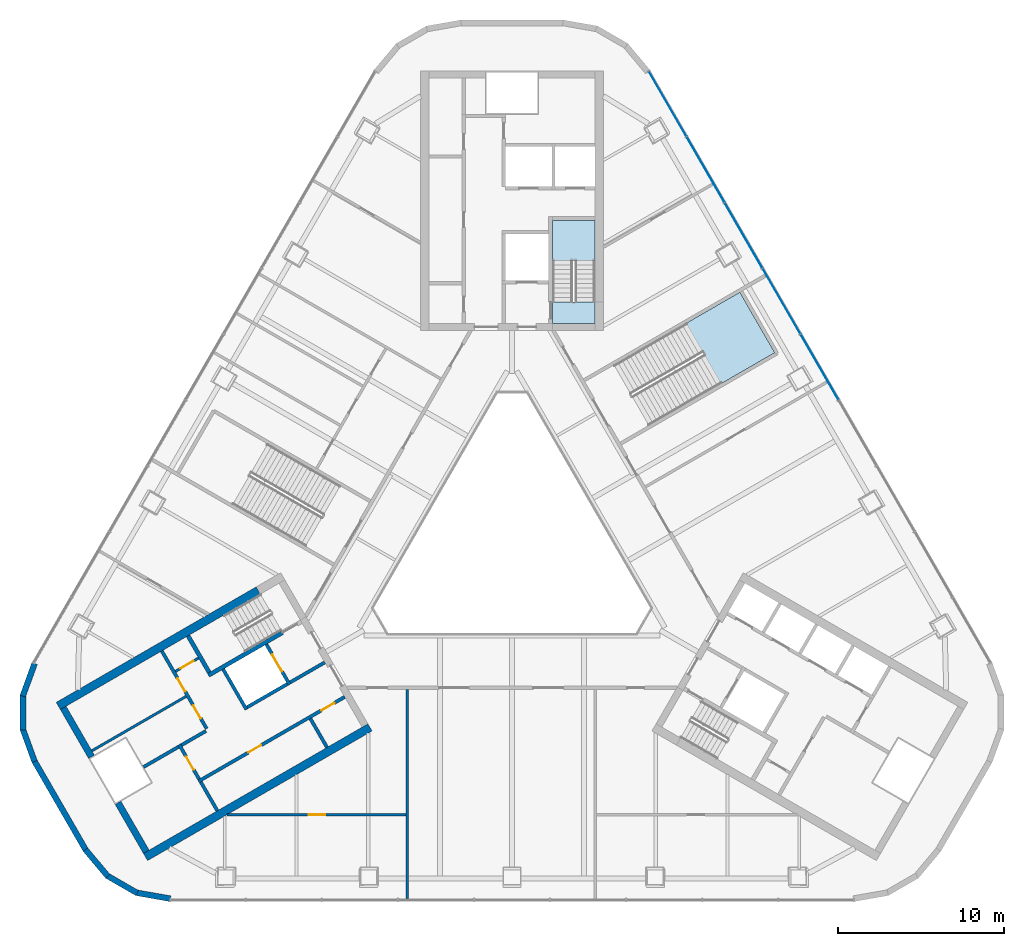
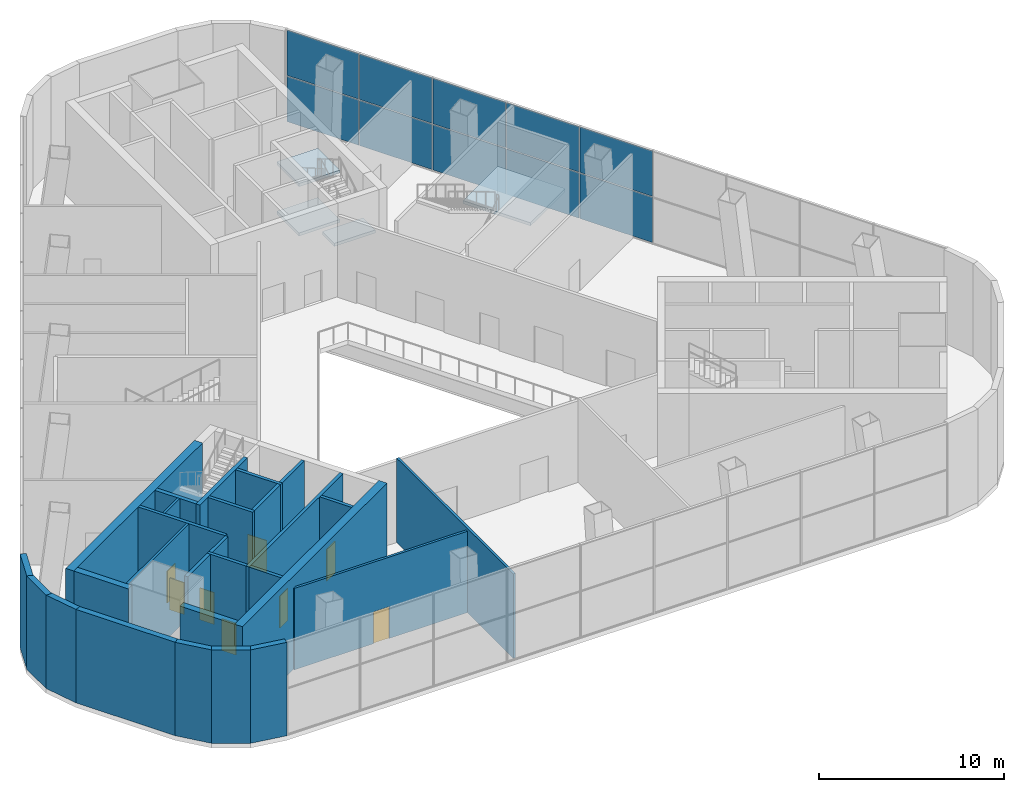
# One storey, part 10 of 17: 28 walls, 10 plates, 8 doors, 4 slabs, 8 openings, 3 elements without a shape of their own.
"""IFC4 building model written with IfcOpenShell, lengths in metres."""

from ifc_helpers import new_model, si_unit, direction, frame, frame_2d, origin, origin_2d, place, context, subcontext, project, spatial, polyline, rectangle, outline, extrude, material, layer, layer_set, type_object, element, fill, aggregate, save


model = new_model("IFC4")

# Units and contexts
model_context = context("Model", 3, precision=1e-05, world=origin(), true_north=direction((0.0, 1.0)))
body_context = subcontext(model_context, "Body", "Model", "MODEL_VIEW")
ifc_project = project(units=[si_unit("LENGTHUNIT", "METRE"), si_unit("AREAUNIT", "SQUARE_METRE"), si_unit("VOLUMEUNIT", "CUBIC_METRE"), si_unit("PLANEANGLEUNIT", "RADIAN"), si_unit("MASSUNIT", "GRAM", prefix="KILO")], contexts=[model_context])

# Site, building, storey
site_placement = place(None, origin())
site = spatial("IfcSite", under=ifc_project, at=site_placement, CompositionType="ELEMENT")
building_placement = place(site_placement, origin())
building = spatial("IfcBuilding", under=site, at=building_placement, Name="Apuvela Tower Hotel", CompositionType="ELEMENT")
storey_placement = place(building_placement, frame((0.0, 0.0, 9.0)))
storey = spatial("IfcBuildingStorey", under=building, at=storey_placement, Name="L01", CompositionType="ELEMENT", Elevation=9.0)

# Stair, slabs
ifc_material_1 = material(Name="Concrete C50/60", Category="concrete")
stair_type_1 = type_object("IfcStairType", Name="COR-STAIR-40R", PredefinedType="HALF_TURN_STAIR", material=ifc_material_1)
stair_1_placement = place(storey_placement, origin())
stair_1 = element("IfcStair", 1, at=stair_1_placement, inside=storey, type_object=stair_type_1, Name="L01 Exit stair ST1", PredefinedType="HALF_TURN_STAIR")
ifc_layer_1 = layer(ifc_material_1, 0.199951171875)
ifc_layer_set_1 = layer_set([ifc_layer_1], Name="COR-LANDING-200")
slab_type_1 = type_object("IfcSlabType", Name="COR-LANDING-200", PredefinedType="LANDING", material=ifc_layer_set_1)
slab_1_placement = place(storey_placement, frame((0.0, 0.0, 1.425048828125)))
slab_1 = element("IfcSlab", 2, at=slab_1_placement, type_object=slab_type_1, Name="ST1 landing 1", PredefinedType="LANDING", context=body_context, shape_type="SweptSolid", body=[
    extrude(outline(polyline([(5.0, 17.114013671875), (5.0, 19.5), (2.449951171875, 19.5), (2.449951171875, 17.114013671875), (5.0, 17.114013671875)])), origin(), (0.0, 0.0, 1.0), 0.199951171875),
])
slab_2_placement = place(storey_placement, frame((0.0, 0.0, 3.050048828125)))
slab_2 = element("IfcSlab", 3, at=slab_2_placement, type_object=slab_type_1, Name="ST1 landing 2", PredefinedType="LANDING", context=body_context, shape_type="SweptSolid", body=[
    extrude(outline(polyline([(5.0, 13.300048828125), (5.0, 14.60595703125), (2.449951171875, 14.60595703125), (2.449951171875, 13.300048828125), (5.0, 13.300048828125)])), origin(), (0.0, 0.0, 1.0), 0.199951171875),
])
slab_3_placement = place(storey_placement, frame((0.0, 0.0, 4.675048828125)))
slab_3 = element("IfcSlab", 4, at=slab_3_placement, type_object=slab_type_1, Name="ST1 landing 3", PredefinedType="LANDING", context=body_context, shape_type="SweptSolid", body=[
    extrude(outline(polyline([(5.0, 17.114013671875), (5.0, 19.5), (2.449951171875, 19.5), (2.449951171875, 17.114013671875), (5.0, 17.114013671875)])), origin(), (0.0, 0.0, 1.0), 0.199951171875),
])
aggregate(stair_1, [slab_1, slab_2, slab_3])

# Curtain wall, plates
ifc_material_2 = material(Name="Aluminium 6063-T6, dark bronze anodised", Category="aluminium")
ifc_layer_2 = layer(ifc_material_2, 0.199951171875)
ifc_layer_set_2 = layer_set([ifc_layer_2], Name="ENV-CW-P")
curtain_wall_type = type_object("IfcCurtainWallType", Name="ENV-CW-P", PredefinedType="NOTDEFINED", material=ifc_layer_set_2)
curtain_wall_placement = place(storey_placement, origin())
curtain_wall = element("IfcCurtainWall", 5, at=curtain_wall_placement, inside=storey, type_object=curtain_wall_type, Name="Curtain wall CW-P NE L01", PredefinedType="NOTDEFINED")
ifc_material_3 = material(Name="Glass, dark tinted laminated insulated glazing unit", Category="glass")
ifc_layer_3 = layer(ifc_material_3, 0.0400390625)
ifc_layer_set_3 = layer_set([ifc_layer_3], Name="ENV-PANEL-IGU-40")
plate_type = type_object("IfcPlateType", Name="ENV-PANEL-IGU-40", PredefinedType="CURTAIN_PANEL", material=ifc_layer_set_3)
plate_1_placement = place(storey_placement, frame((18.51416015625, 10.689208984375, 0.06494140625), z_axis=(0.0, 0.0, 1.0), x_axis=(-0.49999995795, 0.866025428062, 0.0)))
plate_1 = element("IfcPlate", 6, at=plate_1_placement, type_object=plate_type, Name="CW-P panel 5.1", PredefinedType="CURTAIN_PANEL", context=body_context, shape_type="SweptSolid", body=[
    extrude(rectangle(XDim=4.510009765625, YDim=0.0400390625, at=origin_2d()), origin(), (0.0, 0.0, 1.0), 2.9775390625),
])
plate_2_placement = place(storey_placement, frame((18.51416015625, 10.689208984375, 3.107421875), z_axis=(0.0, 0.0, 1.0), x_axis=(-0.49999995795, 0.866025428062, 0.0)))
plate_2 = element("IfcPlate", 7, at=plate_2_placement, type_object=plate_type, Name="CW-P panel 5.2", PredefinedType="CURTAIN_PANEL", context=body_context, shape_type="SweptSolid", body=[
    extrude(rectangle(XDim=4.510009765625, YDim=0.0400390625, at=origin_2d()), origin(), (0.0, 0.0, 1.0), 2.9775390625),
])
plate_3_placement = place(storey_placement, frame((16.2265625, 14.6513671875, 0.06494140625), z_axis=(0.0, 0.0, 1.0), x_axis=(-0.49999995795, 0.866025428062, 0.0)))
plate_3 = element("IfcPlate", 8, at=plate_3_placement, type_object=plate_type, Name="CW-P panel 6.1", PredefinedType="CURTAIN_PANEL", context=body_context, shape_type="SweptSolid", body=[
    extrude(rectangle(XDim=4.510009765625, YDim=0.0400390625, at=origin_2d()), origin(), (0.0, 0.0, 1.0), 2.9775390625),
])
plate_4_placement = place(storey_placement, frame((16.2265625, 14.6513671875, 3.107421875), z_axis=(0.0, 0.0, 1.0), x_axis=(-0.49999995795, 0.866025428062, 0.0)))
plate_4 = element("IfcPlate", 9, at=plate_4_placement, type_object=plate_type, Name="CW-P panel 6.2", PredefinedType="CURTAIN_PANEL", context=body_context, shape_type="SweptSolid", body=[
    extrude(rectangle(XDim=4.510009765625, YDim=0.0400390625, at=origin_2d()), origin(), (0.0, 0.0, 1.0), 2.9775390625),
])
plate_5_placement = place(storey_placement, frame((13.939208984375, 18.61328125, 0.06494140625), z_axis=(0.0, 0.0, 1.0), x_axis=(-0.49999995795, 0.866025428062, 0.0)))
plate_5 = element("IfcPlate", 10, at=plate_5_placement, type_object=plate_type, Name="CW-P panel 7.1", PredefinedType="CURTAIN_PANEL", context=body_context, shape_type="SweptSolid", body=[
    extrude(rectangle(XDim=4.510009765625, YDim=0.0400390625, at=origin_2d()), origin(), (0.0, 0.0, 1.0), 2.9775390625),
])
plate_6_placement = place(storey_placement, frame((13.939208984375, 18.61328125, 3.107421875), z_axis=(0.0, 0.0, 1.0), x_axis=(-0.49999995795, 0.866025428062, 0.0)))
plate_6 = element("IfcPlate", 11, at=plate_6_placement, type_object=plate_type, Name="CW-P panel 7.2", PredefinedType="CURTAIN_PANEL", context=body_context, shape_type="SweptSolid", body=[
    extrude(rectangle(XDim=4.510009765625, YDim=0.0400390625, at=origin_2d()), origin(), (0.0, 0.0, 1.0), 2.9775390625),
])
plate_7_placement = place(storey_placement, frame((11.651611328125, 22.575439453125, 0.06494140625), z_axis=(0.0, 0.0, 1.0), x_axis=(-0.49999995795, 0.866025428062, 0.0)))
plate_7 = element("IfcPlate", 12, at=plate_7_placement, type_object=plate_type, Name="CW-P panel 8.1", PredefinedType="CURTAIN_PANEL", context=body_context, shape_type="SweptSolid", body=[
    extrude(rectangle(XDim=4.510009765625, YDim=0.0400390625, at=origin_2d()), origin(), (0.0, 0.0, 1.0), 2.9775390625),
])
plate_8_placement = place(storey_placement, frame((11.651611328125, 22.575439453125, 3.107421875), z_axis=(0.0, 0.0, 1.0), x_axis=(-0.49999995795, 0.866025428062, 0.0)))
plate_8 = element("IfcPlate", 13, at=plate_8_placement, type_object=plate_type, Name="CW-P panel 8.2", PredefinedType="CURTAIN_PANEL", context=body_context, shape_type="SweptSolid", body=[
    extrude(rectangle(XDim=4.510009765625, YDim=0.0400390625, at=origin_2d()), origin(), (0.0, 0.0, 1.0), 2.9775390625),
])
plate_9_placement = place(storey_placement, frame((9.372314453125, 26.5234375, 0.06494140625), z_axis=(0.0, 0.0, 1.0), x_axis=(-0.49999995795, 0.866025428062, 0.0)))
plate_9 = element("IfcPlate", 14, at=plate_9_placement, type_object=plate_type, Name="CW-P panel 9.1", PredefinedType="CURTAIN_PANEL", context=body_context, shape_type="SweptSolid", body=[
    extrude(rectangle(XDim=4.4775390625, YDim=0.0400390625, at=origin_2d()), origin(), (0.0, 0.0, 1.0), 2.9775390625),
])
plate_10_placement = place(storey_placement, frame((9.372314453125, 26.5234375, 3.107421875), z_axis=(0.0, 0.0, 1.0), x_axis=(-0.49999995795, 0.866025428062, 0.0)))
plate_10 = element("IfcPlate", 15, at=plate_10_placement, type_object=plate_type, Name="CW-P panel 9.2", PredefinedType="CURTAIN_PANEL", context=body_context, shape_type="SweptSolid", body=[
    extrude(rectangle(XDim=4.4775390625, YDim=0.0400390625, at=origin_2d()), origin(), (0.0, 0.0, 1.0), 2.9775390625),
])
aggregate(curtain_wall, [plate_1, plate_2, plate_3, plate_4, plate_5, plate_6, plate_7, plate_8, plate_9, plate_10])

# Stair, slab
ifc_material_4 = material(Name="Concrete C40/50", Category="concrete")
stair_type_2 = type_object("IfcStairType", Name="SPC-STAIR-PS", PredefinedType="HALF_TURN_STAIR", material=ifc_material_4)
stair_2_placement = place(storey_placement, origin())
stair_2 = element("IfcStair", 16, at=stair_2_placement, inside=storey, type_object=stair_type_2, Name="L01 Protected exit stair PS1", PredefinedType="HALF_TURN_STAIR")
ifc_layer_4 = layer(ifc_material_4, 0.199951171875)
ifc_layer_set_4 = layer_set([ifc_layer_4], Name="SPC-LANDING-PS")
slab_type_2 = type_object("IfcSlabType", Name="SPC-LANDING-PS", PredefinedType="LANDING", material=ifc_layer_set_4)
slab_4_placement = place(storey_placement, frame((0.0, 0.0, 3.050048828125)))
slab_4 = element("IfcSlab", 17, at=slab_4_placement, type_object=slab_type_2, Name="PS1 landing 1", PredefinedType="LANDING", context=body_context, shape_type="SweptSolid", body=[
    extrude(outline(polyline([(12.576904296875, 9.68603515625), (15.8115234375, 11.5537109375), (13.71142578125, 15.19091796875), (10.476806640625, 13.323486328125), (12.576904296875, 9.68603515625)])), origin(), (0.0, 0.0, 1.0), 0.199951171875),
])
aggregate(stair_2, [slab_4])

# Walls
ifc_layer_5 = layer(ifc_material_1, 0.39990234375)
ifc_layer_set_5 = layer_set([ifc_layer_5], Name="COR-WALL-CORE-400")
wall_type_1 = type_object("IfcWallType", Name="COR-WALL-CORE-400", PredefinedType="SHEAR", material=ifc_layer_set_5)
wall_1_placement = place(storey_placement, frame((-23.70849609375, -15.53564453125, 0.0), z_axis=(0.0, 0.0, 1.0), x_axis=(0.500008388397, -0.866020560687, 0.0)))
element("IfcWall", 18, at=wall_1_placement, inside=storey, type_object=wall_type_1, Name="Core wall SW", PredefinedType="SHEAR", context=body_context, shape_type="SweptSolid", body=[
    extrude(rectangle(XDim=3.39990234375, YDim=0.39990234375, at=frame_2d((1.699951171875, 0.0))), origin(), (0.0, 0.0, 1.0), 6.14990234375),
])
wall_2_placement = place(storey_placement, frame((-27.008544921875, -9.81982421875, 0.0), z_axis=(0.0, 0.0, 1.0), x_axis=(0.499977295307, -0.866038511948, 0.0)))
element("IfcWall", 19, at=wall_2_placement, inside=storey, type_object=wall_type_1, Name="Core wall SW", PredefinedType="SHEAR", context=body_context, shape_type="SweptSolid", body=[
    extrude(rectangle(XDim=3.400146484375, YDim=0.39990234375, at=frame_2d((1.7001953125, 0.0))), origin(), (0.0, 0.0, 1.0), 6.14990234375),
])
ifc_layer_6 = layer(ifc_material_1, 0.5)
ifc_layer_set_6 = layer_set([ifc_layer_6], Name="COR-WALL-CORE-500")
wall_type_2 = type_object("IfcWallType", Name="COR-WALL-CORE-500", PredefinedType="SHEAR", material=ifc_layer_set_6)
wall_3_placement = place(storey_placement, frame((-8.546630859375, -10.99658203125, 0.0), z_axis=(0.0, 0.0, 1.0), x_axis=(-0.866024264262, -0.500001973705, 0.0)))
element("IfcWall", 20, at=wall_3_placement, inside=storey, type_object=wall_type_2, Name="Core wall SW", PredefinedType="SHEAR", context=body_context, shape_type="SweptSolid", body=[
    extrude(rectangle(XDim=15.60009765625, YDim=0.5, at=frame_2d((7.800048828125, 0.0))), origin(), (0.0, 0.0, 1.0), 6.14990234375),
])
wall_4_placement = place(storey_placement, frame((-15.274169921875, -2.75634765625, 0.0), z_axis=(0.0, 0.0, 1.0), x_axis=(-0.86602318214, -0.500003847982, 0.0)))
element("IfcWall", 21, at=wall_4_placement, inside=storey, type_object=wall_type_2, Name="Core wall SW", PredefinedType="SHEAR", context=body_context, shape_type="SweptSolid", body=[
    extrude(rectangle(XDim=13.89404296875, YDim=0.5, at=frame_2d((6.947021484375, 0.0))), origin(), (0.0, 0.0, 1.0), 6.14990234375),
])

# Wall, opening, door
ifc_material_5 = material(Name="Blockwork 150 mm plastered", Category="masonry")
ifc_layer_7 = layer(ifc_material_5, 0.14990234375)
ifc_layer_set_7 = layer_set([ifc_layer_7], Name="COR-WALL-PART-150")
wall_type_3 = type_object("IfcWallType", Name="COR-WALL-PART-150", PredefinedType="PARTITIONING", material=ifc_layer_set_7)
wall_5_placement = place(storey_placement, frame((-18.866455078125, -6.822265625, 0.0), z_axis=(0.0, 0.0, 1.0), x_axis=(-0.866028054938, -0.499995408039, 0.0)))
wall_5 = element("IfcWall", 22, at=wall_5_placement, inside=storey, type_object=wall_type_3, Name="Partition SW", PredefinedType="PARTITIONING", context=body_context, shape_type="SweptSolid", body=[
    extrude(rectangle(XDim=1.60009765625, YDim=0.14990234375, at=frame_2d((0.800048828125, 0.0))), origin(), (0.0, 0.0, 1.0), 6.14990234375),
])
opening_1_placement = place(wall_5_placement, frame((0.35009765625, 0.0, 0.0)))
opening_1 = element("IfcOpeningElement", 23, at=opening_1_placement, cuts=wall_5, Name="Opening W-RD", PredefinedType="OPENING", context=body_context, shape_type="SweptSolid", body=[
    extrude(rectangle(XDim=0.89990234375, YDim=2.10009765625, at=frame_2d((0.449951171875, 1.050048828125))), frame((0.0, 0.0849609375, 0.0), z_axis=(0.0, -1.0, 0.0), x_axis=(1.0, 0.0, 0.0)), (0.0, 0.0, 1.0), 0.169921875),
])
ifc_material_6 = material(Name="Steel access door, powder coated", Category="steel")
door_type_1 = type_object("IfcDoorType", Name="COR-RD-900", OperationType="NOTDEFINED", PredefinedType="DOOR", material=ifc_material_6)
door_1_placement = place(opening_1_placement, frame((0.89990234375, 0.0, 0.0), z_axis=(0.0, 0.0, 1.0), x_axis=(-1.0, 0.0, 0.0)))
door_1 = element("IfcDoor", 24, at=door_1_placement, inside=storey, type_object=door_type_1, Name="Riser door W-RD", OperationType="SINGLE_SWING_RIGHT", OverallHeight=2.10009765625, OverallWidth=0.89990234375, PredefinedType="DOOR", context=body_context, shape_type="SweptSolid", body=[
    extrude(rectangle(XDim=0.89990234375, YDim=2.10009765625, at=frame_2d((0.449951171875, 1.050048828125))), frame((0.0, 0.02490234375, 0.0), z_axis=(0.0, -1.0, 0.0), x_axis=(1.0, 0.0, 0.0)), (0.0, 0.0, 1.0), 0.050048828125),
])
fill(opening_1, door_1)

# Wall
wall_6_placement = place(storey_placement, frame((-19.61279296875, -9.129638671875, 0.0), z_axis=(0.0, 0.0, 1.0), x_axis=(-0.866037242061, -0.499979494943, 0.0)))
element("IfcWall", 25, at=wall_6_placement, inside=storey, type_object=wall_type_3, Name="Partition SW", PredefinedType="PARTITIONING", context=body_context, shape_type="SweptSolid", body=[
    extrude(rectangle(XDim=6.550048828125, YDim=0.14990234375, at=frame_2d((3.27490234375, 0.0))), origin(), (0.0, 0.0, 1.0), 6.14990234375),
])

# Wall, openings, doors
ifc_material_7 = material(Name="Blockwork 200 mm plastered", Category="masonry")
ifc_layer_8 = layer(ifc_material_7, 0.199951171875)
ifc_layer_set_8 = layer_set([ifc_layer_8], Name="COR-WALL-PART-200")
wall_type_4 = type_object("IfcWallType", Name="COR-WALL-PART-200", PredefinedType="PARTITIONING", material=ifc_layer_set_8)
wall_7_placement = place(storey_placement, frame((-21.076171875, -6.39501953125, 0.0), z_axis=(0.0, 0.0, 1.0), x_axis=(0.50001468107, -0.866016927499, 0.0)))
wall_7 = element("IfcWall", 26, at=wall_7_placement, inside=storey, type_object=wall_type_4, Name="Partition SW", PredefinedType="PARTITIONING", context=body_context, shape_type="SweptSolid", body=[
    extrude(rectangle(XDim=5.399658203125, YDim=0.199951171875, at=frame_2d((2.69970703125, 0.0))), origin(), (0.0, 0.0, 1.0), 6.14990234375),
])
opening_2_placement = place(wall_7_placement, frame((1.91259765625, 0.0, 0.0)))
opening_2 = element("IfcOpeningElement", 27, at=opening_2_placement, cuts=wall_7, Name="Opening W-RS1", PredefinedType="OPENING", context=body_context, shape_type="SweptSolid", body=[
    extrude(rectangle(XDim=0.89990234375, YDim=2.10009765625, at=frame_2d((0.449951171875, 1.050048828125))), frame((0.0, 0.10986328125, 0.0), z_axis=(0.0, -1.0, 0.0), x_axis=(1.0, 0.0, 0.0)), (0.0, 0.0, 1.0), 0.219970703125),
])
opening_3_placement = place(wall_7_placement, frame((3.78759765625, 0.0, 0.0)))
opening_3 = element("IfcOpeningElement", 28, at=opening_3_placement, cuts=wall_7, Name="Opening W-RS2", PredefinedType="OPENING", context=body_context, shape_type="SweptSolid", body=[
    extrude(rectangle(XDim=0.89990234375, YDim=2.10009765625, at=frame_2d((0.449951171875, 1.050048828125))), frame((0.0, 0.10986328125, 0.0), z_axis=(0.0, -1.0, 0.0), x_axis=(1.0, 0.0, 0.0)), (0.0, 0.0, 1.0), 0.219970703125),
])
ifc_material_8 = material(Name="Steel fire door, powder coated", Category="steel")
door_type_2 = type_object("IfcDoorType", Name="COR-DR-900", OperationType="NOTDEFINED", PredefinedType="DOOR", material=ifc_material_8)
door_2_placement = place(opening_2_placement, frame((0.89990234375, 0.0, 0.0), z_axis=(0.0, 0.0, 1.0), x_axis=(-1.0, 0.0, 0.0)))
door_2 = element("IfcDoor", 29, at=door_2_placement, inside=storey, type_object=door_type_2, Name="Store door W-RS1", OperationType="SINGLE_SWING_LEFT", OverallHeight=2.10009765625, OverallWidth=0.89990234375, PredefinedType="DOOR", context=body_context, shape_type="SweptSolid", body=[
    extrude(rectangle(XDim=0.89990234375, YDim=2.10009765625, at=frame_2d((0.449951171875, 1.050048828125))), frame((0.0, 0.02490234375, 0.0), z_axis=(0.0, -1.0, 0.0), x_axis=(1.0, 0.0, 0.0)), (0.0, 0.0, 1.0), 0.050048828125),
])
fill(opening_2, door_2)
door_3_placement = place(opening_3_placement, frame((0.89990234375, 0.0, 0.0), z_axis=(0.0, 0.0, 1.0), x_axis=(-1.0, 0.0, 0.0)))
door_3 = element("IfcDoor", 30, at=door_3_placement, inside=storey, type_object=door_type_2, Name="Store door W-RS2", OperationType="SINGLE_SWING_LEFT", OverallHeight=2.10009765625, OverallWidth=0.89990234375, PredefinedType="DOOR", context=body_context, shape_type="SweptSolid", body=[
    extrude(rectangle(XDim=0.89990234375, YDim=2.10009765625, at=frame_2d((0.449951171875, 1.050048828125))), frame((0.0, 0.02490234375, 0.0), z_axis=(0.0, -1.0, 0.0), x_axis=(1.0, 0.0, 0.0)), (0.0, 0.0, 1.0), 0.050048828125),
])
fill(opening_3, door_3)

# Wall
ifc_layer_9 = layer(ifc_material_1, 0.199951171875)
ifc_layer_set_9 = layer_set([ifc_layer_9], Name="COR-WALL-SHAFT-200")
wall_type_5 = type_object("IfcWallType", Name="COR-WALL-SHAFT-200", PredefinedType="SHEAR", material=ifc_layer_set_9)
wall_8_placement = place(storey_placement, frame((-17.38134765625, -7.49462890625, 0.0), z_axis=(0.0, 0.0, 1.0), x_axis=(0.500011755427, -0.866018616679, 0.0)))
element("IfcWall", 31, at=wall_8_placement, inside=storey, type_object=wall_type_5, Name="Shaft wall SW", PredefinedType="SHEAR", context=body_context, shape_type="SweptSolid", body=[
    extrude(rectangle(XDim=2.80029296875, YDim=0.199951171875, at=frame_2d((1.400146484375, 0.0))), origin(), (0.0, 0.0, 1.0), 6.14990234375),
])

# Wall, opening, door
wall_9_placement = place(storey_placement, frame((-14.783203125, -5.99462890625, 0.0), z_axis=(0.0, 0.0, 1.0), x_axis=(0.49994636267, -0.866056369097, 0.0)))
wall_9 = element("IfcWall", 32, at=wall_9_placement, inside=storey, type_object=wall_type_5, Name="Shaft wall SW", PredefinedType="SHEAR", context=body_context, shape_type="SweptSolid", body=[
    extrude(rectangle(XDim=2.800048828125, YDim=0.199951171875, at=frame_2d((1.39990234375, 0.0))), origin(), (0.0, 0.0, 1.0), 6.14990234375),
])
opening_4_placement = place(wall_9_placement, frame((0.699951171875, 0.0, 0.0)))
opening_4 = element("IfcOpeningElement", 33, at=opening_4_placement, cuts=wall_9, Name="Opening W-LD-FS2", PredefinedType="OPENING", context=body_context, shape_type="SweptSolid", body=[
    extrude(rectangle(XDim=1.199951171875, YDim=2.10009765625, at=frame_2d((0.60009765625, 1.050048828125))), frame((0.0, 0.10986328125, 0.0), z_axis=(0.0, -1.0, 0.0), x_axis=(1.0, 0.0, 0.0)), (0.0, 0.0, 1.0), 0.219970703125),
])
ifc_material_9 = material(Name="Stainless steel lift landing door", Category="steel")
door_type_3 = type_object("IfcDoorType", Name="COR-LD-1200", OperationType="DOUBLE_DOOR_SLIDING", PredefinedType="DOOR", material=ifc_material_9)
door_4_placement = place(opening_4_placement, origin())
door_4 = element("IfcDoor", 34, at=door_4_placement, inside=storey, type_object=door_type_3, Name="Lift landing door W-LD-FS2", OperationType="DOUBLE_DOOR_SLIDING", OverallHeight=2.10009765625, OverallWidth=1.199951171875, PredefinedType="DOOR", context=body_context, shape_type="SweptSolid", body=[
    extrude(rectangle(XDim=1.199951171875, YDim=2.10009765625, at=frame_2d((0.60009765625, 1.050048828125))), frame((0.0, 0.02490234375, 0.0), z_axis=(0.0, -1.0, 0.0), x_axis=(1.0, 0.0, 0.0)), (0.0, 0.0, 1.0), 0.050048828125),
])
fill(opening_4, door_4)

# Walls
wall_10_placement = place(storey_placement, frame((-13.519775390625, -8.383056640625, 0.0), z_axis=(0.0, 0.0, 1.0), x_axis=(-0.866034573852, -0.49998411664, 0.0)))
element("IfcWall", 35, at=wall_10_placement, inside=storey, type_object=wall_type_5, Name="Shaft wall SW", PredefinedType="SHEAR", context=body_context, shape_type="SweptSolid", body=[
    extrude(rectangle(XDim=2.7998046875, YDim=0.199951171875, at=frame_2d((1.39990234375, 0.0))), origin(), (0.0, 0.0, 1.0), 6.14990234375),
])
wall_11_placement = place(storey_placement, frame((-11.26806640625, -7.0830078125, 0.0), z_axis=(0.0, 0.0, 1.0), x_axis=(-0.866050077142, -0.499957262057, 0.0)))
element("IfcWall", 36, at=wall_11_placement, inside=storey, type_object=wall_type_5, Name="Shaft wall SW", PredefinedType="SHEAR", context=body_context, shape_type="SweptSolid", body=[
    extrude(rectangle(XDim=2.400146484375, YDim=0.199951171875, at=frame_2d((1.2001953125, 0.0))), origin(), (0.0, 0.0, 1.0), 6.14990234375),
])

# Wall, openings, doors
wall_12_placement = place(storey_placement, frame((-10.068115234375, -9.16162109375, 0.0), z_axis=(0.0, 0.0, 1.0), x_axis=(-0.866032725843, -0.499987317609, 0.0)))
wall_12 = element("IfcWall", 37, at=wall_12_placement, inside=storey, type_object=wall_type_5, Name="Shaft wall SW", PredefinedType="SHEAR", context=body_context, shape_type="SweptSolid", body=[
    extrude(rectangle(XDim=10.159912109375, YDim=0.199951171875, at=frame_2d((5.080078125, 0.0))), origin(), (0.0, 0.0, 1.0), 6.14990234375),
])
opening_5_placement = place(wall_12_placement, frame((0.719970703125, 0.0, 0.0)))
opening_5 = element("IfcOpeningElement", 38, at=opening_5_placement, cuts=wall_12, Name="Opening W-RE1", PredefinedType="OPENING", context=body_context, shape_type="SweptSolid", body=[
    extrude(rectangle(XDim=0.89990234375, YDim=2.10009765625, at=frame_2d((0.449951171875, 1.050048828125))), frame((0.0, 0.10986328125, 0.0), z_axis=(0.0, -1.0, 0.0), x_axis=(1.0, 0.0, 0.0)), (0.0, 0.0, 1.0), 0.219970703125),
])
opening_6_placement = place(wall_12_placement, frame((5.800048828125, 0.0, 0.0)))
opening_6 = element("IfcOpeningElement", 39, at=opening_6_placement, cuts=wall_12, Name="Opening W-RE2", PredefinedType="OPENING", context=body_context, shape_type="SweptSolid", body=[
    extrude(rectangle(XDim=0.89990234375, YDim=2.10009765625, at=frame_2d((0.449951171875, 1.050048828125))), frame((0.0, 0.10986328125, 0.0), z_axis=(0.0, -1.0, 0.0), x_axis=(1.0, 0.0, 0.0)), (0.0, 0.0, 1.0), 0.219970703125),
])
door_5_placement = place(opening_5_placement, origin())
door_5 = element("IfcDoor", 40, at=door_5_placement, inside=storey, type_object=door_type_2, Name="Store door W-RE1", OperationType="SINGLE_SWING_LEFT", OverallHeight=2.10009765625, OverallWidth=0.89990234375, PredefinedType="DOOR", context=body_context, shape_type="SweptSolid", body=[
    extrude(rectangle(XDim=0.89990234375, YDim=2.10009765625, at=frame_2d((0.449951171875, 1.050048828125))), frame((0.0, 0.02490234375, 0.0), z_axis=(0.0, -1.0, 0.0), x_axis=(1.0, 0.0, 0.0)), (0.0, 0.0, 1.0), 0.050048828125),
])
fill(opening_5, door_5)
door_6_placement = place(opening_6_placement, origin())
door_6 = element("IfcDoor", 41, at=door_6_placement, inside=storey, type_object=door_type_2, Name="Store door W-RE2", OperationType="SINGLE_SWING_RIGHT", OverallHeight=2.10009765625, OverallWidth=0.89990234375, PredefinedType="DOOR", context=body_context, shape_type="SweptSolid", body=[
    extrude(rectangle(XDim=0.89990234375, YDim=2.10009765625, at=frame_2d((0.449951171875, 1.050048828125))), frame((0.0, 0.02490234375, 0.0), z_axis=(0.0, -1.0, 0.0), x_axis=(1.0, 0.0, 0.0)), (0.0, 0.0, 1.0), 0.050048828125),
])
fill(opening_6, door_6)

# Wall, opening, door
wall_13_placement = place(storey_placement, frame((-20.030517578125, -12.0263671875, 0.0), z_axis=(0.0, 0.0, 1.0), x_axis=(0.500033551112, -0.866006032174, 0.0)))
wall_13 = element("IfcWall", 42, at=wall_13_placement, inside=storey, type_object=wall_type_5, Name="Shaft wall SW", PredefinedType="SHEAR", context=body_context, shape_type="SweptSolid", body=[
    extrude(rectangle(XDim=2.400146484375, YDim=0.199951171875, at=frame_2d((1.2001953125, 0.0))), origin(), (0.0, 0.0, 1.0), 6.14990234375),
])
opening_7_placement = place(wall_13_placement, frame((0.85009765625, 0.0, 0.0)))
opening_7 = element("IfcOpeningElement", 43, at=opening_7_placement, cuts=wall_13, Name="Opening W-REP", PredefinedType="OPENING", context=body_context, shape_type="SweptSolid", body=[
    extrude(rectangle(XDim=0.89990234375, YDim=2.10009765625, at=frame_2d((0.449951171875, 1.050048828125))), frame((0.0, 0.10986328125, 0.0), z_axis=(0.0, -1.0, 0.0), x_axis=(1.0, 0.0, 0.0)), (0.0, 0.0, 1.0), 0.219970703125),
])
door_7_placement = place(opening_7_placement, frame((0.89990234375, 0.0, 0.0), z_axis=(0.0, 0.0, 1.0), x_axis=(-1.0, 0.0, 0.0)))
door_7 = element("IfcDoor", 44, at=door_7_placement, inside=storey, type_object=door_type_2, Name="Store door W-REP", OperationType="SINGLE_SWING_LEFT", OverallHeight=2.10009765625, OverallWidth=0.89990234375, PredefinedType="DOOR", context=body_context, shape_type="SweptSolid", body=[
    extrude(rectangle(XDim=0.89990234375, YDim=2.10009765625, at=frame_2d((0.449951171875, 1.050048828125))), frame((0.0, 0.02490234375, 0.0), z_axis=(0.0, -1.0, 0.0), x_axis=(1.0, 0.0, 0.0)), (0.0, 0.0, 1.0), 0.050048828125),
])
fill(opening_7, door_7)

# Walls
wall_14_placement = place(storey_placement, frame((-18.412841796875, -11.2080078125, 0.0), z_axis=(0.0, 0.0, 1.0), x_axis=(-0.866038183914, -0.499977863513, 0.0)))
element("IfcWall", 45, at=wall_14_placement, inside=storey, type_object=wall_type_5, Name="Shaft wall SW", PredefinedType="SHEAR", context=body_context, shape_type="SweptSolid", body=[
    extrude(rectangle(XDim=1.7099609375, YDim=0.199951171875, at=frame_2d((0.85498046875, 0.0))), origin(), (0.0, 0.0, 1.0), 6.14990234375),
])
for number, where, z_axis, x_axis, name in (
    (46, (-12.131103515625, -10.468017578125, 0.0), (0.0, 0.0, 1.0), (0.499972520799, -0.866041268327, 0.0), "Shaft wall SW"),
    (47, (-18.73046875, -14.278076171875, 0.0), (0.0, 0.0, 1.0), (0.50002537861, -0.866010750942, 0.0), "Shaft wall SW"),
):
    element("IfcWall", number, at=place(storey_placement, frame(where, z_axis=z_axis, x_axis=x_axis)), inside=storey, type_object=wall_type_5, Name=name, PredefinedType="SHEAR", context=body_context, shape_type="SweptSolid", body=[
        extrude(rectangle(XDim=2.0, YDim=0.199951171875, at=frame_2d((1.0, 0.0))), origin(), (0.0, 0.0, 1.0), 6.14990234375),
    ])
wall_15_placement = place(storey_placement, frame((-20.06689453125, -12.1630859375, 0.0), z_axis=(0.0, 0.0, 1.0), x_axis=(-0.866048967903, -0.499959183527, 0.0)))
element("IfcWall", 48, at=wall_15_placement, inside=storey, type_object=wall_type_5, Name="Shaft wall SW", PredefinedType="SHEAR", context=body_context, shape_type="SweptSolid", body=[
    extrude(rectangle(XDim=2.440185546875, YDim=0.199951171875, at=frame_2d((1.22021484375, 0.0))), origin(), (0.0, 0.0, 1.0), 6.14990234375),
])
ifc_layer_10 = layer(ifc_material_1, 0.25)
ifc_layer_set_10 = layer_set([ifc_layer_10], Name="COR-WALL-STAIR-250")
wall_type_6 = type_object("IfcWallType", Name="COR-WALL-STAIR-250", PredefinedType="SHEAR", material=ifc_layer_set_10)
wall_16_placement = place(storey_placement, frame((-19.49560546875, -5.482421875, 0.0), z_axis=(0.0, 0.0, 1.0), x_axis=(0.499990435942, -0.866030925526, 0.0)))
element("IfcWall", 49, at=wall_16_placement, inside=storey, type_object=wall_type_6, Name="Stair wall SW", PredefinedType="SHEAR", context=body_context, shape_type="SweptSolid", body=[
    extrude(rectangle(XDim=2.5498046875, YDim=0.25, at=frame_2d((1.27490234375, 0.0))), origin(), (0.0, 0.0, 1.0), 6.14990234375),
])
wall_17_placement = place(storey_placement, frame((-13.811767578125, -5.28955078125, 0.0), z_axis=(0.0, 0.0, 1.0), x_axis=(-0.866023561601, -0.500003190742, 0.0)))
element("IfcWall", 50, at=wall_17_placement, inside=storey, type_object=wall_type_6, Name="Stair wall SW", PredefinedType="SHEAR", context=body_context, shape_type="SweptSolid", body=[
    extrude(rectangle(XDim=5.14404296875, YDim=0.25, at=frame_2d((2.572021484375, 0.0))), origin(), (0.0, 0.0, 1.0), 6.14990234375),
])
ifc_material_10 = material(Name="Concrete C40/50, dark pigmented precast panel", Category="concrete")
ifc_layer_11 = layer(ifc_material_10, 0.35009765625)
ifc_layer_set_11 = layer_set([ifc_layer_11], Name="ENV-WALL-350")
wall_type_7 = type_object("IfcWallType", Name="ENV-WALL-350", PredefinedType="SOLIDWALL", material=ifc_layer_set_11)
wall_18_placement = place(storey_placement, frame((-28.72998046875, -7.14990234375, 0.0), z_axis=(0.0, 0.0, 1.0), x_axis=(-0.342005648315, -0.939697896412, 0.0)))
element("IfcWall", 51, at=wall_18_placement, inside=storey, type_object=wall_type_7, Name="External wall L01-08", PredefinedType="SOLIDWALL", context=body_context, shape_type="SweptSolid", body=[
    extrude(rectangle(XDim=2.090087890625, YDim=0.35009765625, at=frame_2d((1.044921875, 0.0))), origin(), (0.0, 0.0, 1.0), 6.14990234375),
])
for number, where, z_axis, x_axis, name in (
    (52, (-29.434326171875, -9.05419921875, 0.0), (0.0, 0.0, 1.0), (0.0, -1.0, 0.0), "External wall L01-09"),
    (53, (-29.44482421875, -11.084228515625, 0.0), (0.0, 0.0, 1.0), (0.342043191253, -0.939684231706, 0.0), "External wall L01-10"),
):
    element("IfcWall", number, at=place(storey_placement, frame(where, z_axis=z_axis, x_axis=x_axis)), inside=storey, type_object=wall_type_7, Name=name, PredefinedType="SOLIDWALL", context=body_context, shape_type="SweptSolid", body=[
        extrude(rectangle(XDim=2.08984375, YDim=0.35009765625, at=frame_2d((1.044921875, 0.0))), origin(), (0.0, 0.0, 1.0), 6.14990234375),
    ])
wall_19_placement = place(storey_placement, frame((-28.742919921875, -13.0205078125, 0.0), z_axis=(0.0, 0.0, 1.0), x_axis=(0.499981900942, -0.866035853028, 0.0)))
element("IfcWall", 54, at=wall_19_placement, inside=storey, type_object=wall_type_7, Name="External wall L01-11", PredefinedType="SOLIDWALL", context=body_context, shape_type="SweptSolid", body=[
    extrude(rectangle(XDim=6.190673828125, YDim=0.35009765625, at=frame_2d((3.09521484375, 0.0))), origin(), (0.0, 0.0, 1.0), 6.14990234375),
])
wall_20_placement = place(storey_placement, frame((-25.6650390625, -18.35693359375, 0.0), z_axis=(0.0, 0.0, 1.0), x_axis=(0.642731712352, -0.766091343076, 0.0)))
element("IfcWall", 55, at=wall_20_placement, inside=storey, type_object=wall_type_7, Name="External wall L01-12", PredefinedType="SOLIDWALL", context=body_context, shape_type="SweptSolid", body=[
    extrude(rectangle(XDim=2.08984375, YDim=0.35009765625, at=frame_2d((1.044921875, 0.0))), origin(), (0.0, 0.0, 1.0), 6.14990234375),
])
wall_21_placement = place(storey_placement, frame((-24.3681640625, -19.9189453125, 0.0), z_axis=(0.0, 0.0, 1.0), x_axis=(0.866049423672, -0.499958394027, 0.0)))
element("IfcWall", 56, at=wall_21_placement, inside=storey, type_object=wall_type_7, Name="External wall L01-13", PredefinedType="SOLIDWALL", context=body_context, shape_type="SweptSolid", body=[
    extrude(rectangle(XDim=2.090087890625, YDim=0.35009765625, at=frame_2d((1.044921875, 0.0))), origin(), (0.0, 0.0, 1.0), 6.14990234375),
])
wall_22_placement = place(storey_placement, frame((-22.615234375, -20.943115234375, 0.0), z_axis=(0.0, 0.0, 1.0), x_axis=(0.984816471064, -0.173598727877, 0.0)))
element("IfcWall", 57, at=wall_22_placement, inside=storey, type_object=wall_type_7, Name="External wall L01-14", PredefinedType="SOLIDWALL", context=body_context, shape_type="SweptSolid", body=[
    extrude(rectangle(XDim=2.08984375, YDim=0.35009765625, at=frame_2d((1.044921875, 0.0))), origin(), (0.0, 0.0, 1.0), 6.14990234375),
])

# Wall, opening, door
ifc_material_11 = material(Name="Gypsum board partition on steel stud", Category="steel")
ifc_layer_12 = layer(ifc_material_11, 0.14990234375)
ifc_layer_set_12 = layer_set([ifc_layer_12], Name="SPC-WALL-PARTITION")
wall_type_8 = type_object("IfcWallType", Name="SPC-WALL-PARTITION", PredefinedType="PARTITIONING", material=ifc_layer_set_12)
wall_23_placement = place(storey_placement, frame((-17.140869140625, -16.2470703125, 0.0), z_axis=(0.0, 0.0, 1.0), x_axis=(1.0, 0.0, 0.0)))
wall_23 = element("IfcWall", 58, at=wall_23_placement, inside=storey, type_object=wall_type_8, Name="Wall L01-S-P01", PredefinedType="PARTITIONING", context=body_context, shape_type="SweptSolid", body=[
    extrude(rectangle(XDim=10.765869140625, YDim=0.14990234375, at=frame_2d((5.3828125, 0.0))), origin(), (0.0, 0.0, 1.0), 5.360107421875),
])
opening_8_placement = place(wall_23_placement, frame((4.9150390625, 0.0, 0.0)))
opening_8 = element("IfcOpeningElement", 59, at=opening_8_placement, cuts=wall_23, Name="Opening L01-S10", PredefinedType="OPENING", context=body_context, shape_type="SweptSolid", body=[
    extrude(rectangle(XDim=1.0, YDim=2.10009765625, at=frame_2d((0.5, 1.050048828125))), frame((0.0, 0.0849609375, 0.0), z_axis=(0.0, -1.0, 0.0), x_axis=(1.0, 0.0, 0.0)), (0.0, 0.0, 1.0), 0.169921875),
])
ifc_material_12 = material(Name="Hardwood veneer door leaf", Category="wood")
door_type_4 = type_object("IfcDoorType", Name="SPC-DOOR-1000", OperationType="NOTDEFINED", PredefinedType="DOOR", material=ifc_material_12)
door_8_placement = place(opening_8_placement, frame((1.0, 0.0, 0.0), z_axis=(0.0, 0.0, 1.0), x_axis=(-1.0, 0.0, 0.0)))
door_8 = element("IfcDoor", 60, at=door_8_placement, inside=storey, type_object=door_type_4, Name="L01-S10", OperationType="SINGLE_SWING_LEFT", OverallHeight=2.10009765625, OverallWidth=1.0, PredefinedType="DOOR", context=body_context, shape_type="SweptSolid", body=[
    extrude(rectangle(XDim=1.0, YDim=2.10009765625, at=frame_2d((0.5, 1.050048828125))), frame((0.0, 0.02490234375, 0.0), z_axis=(0.0, -1.0, 0.0), x_axis=(1.0, 0.0, 0.0)), (0.0, 0.0, 1.0), 0.050048828125),
])
fill(opening_8, door_8)

# Wall
wall_24_placement = place(storey_placement, frame((-6.300048828125, -21.2783203125, 0.0), z_axis=(0.0, 0.0, 1.0), x_axis=(0.0, 1.0, 0.0)))
element("IfcWall", 61, at=wall_24_placement, inside=storey, type_object=wall_type_8, Name="Wall L01-S-P03", PredefinedType="PARTITIONING", context=body_context, shape_type="SweptSolid", body=[
    extrude(rectangle(XDim=12.578369140625, YDim=0.14990234375, at=frame_2d((6.2890625, 0.0))), origin(), (0.0, 0.0, 1.0), 5.550048828125),
])

save(model, "model.ifc")
